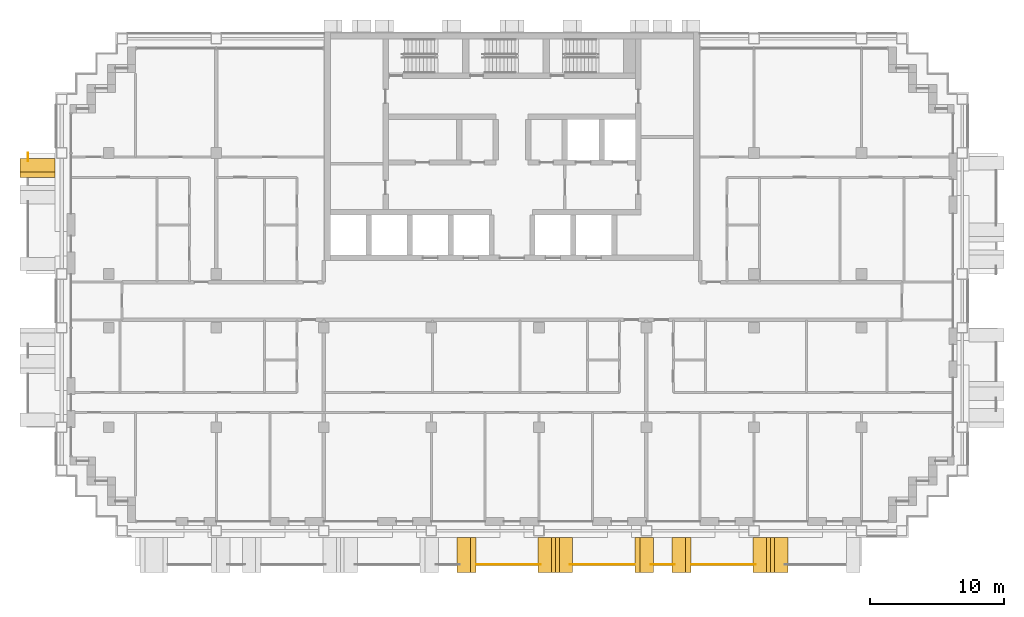
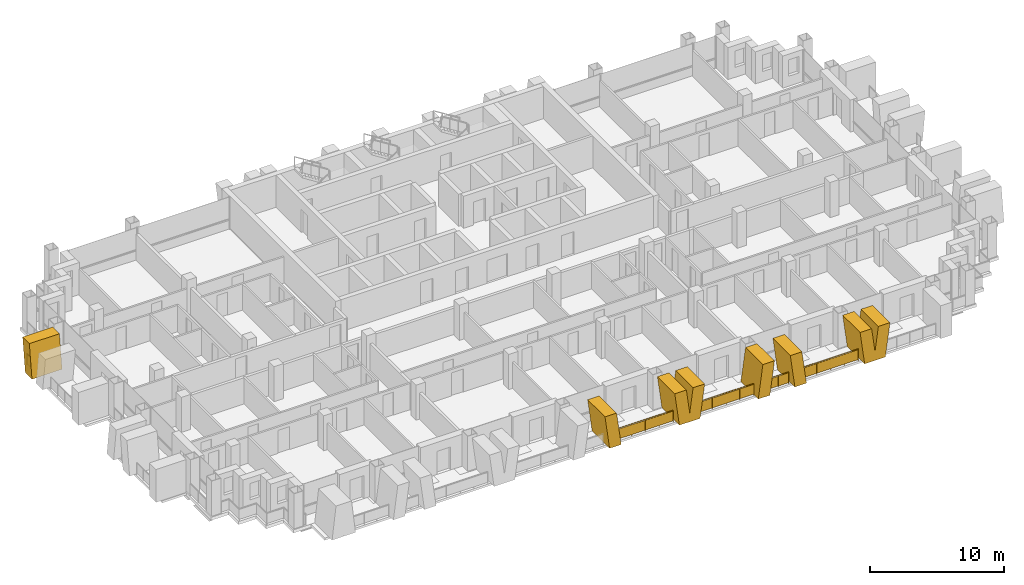
# One storey, part 14 of 17: 6 shading devices, 5 railings.
"""IFC4 building model written with IfcOpenShell, lengths in metres."""

from ifc_helpers import new_model, si_unit, direction, frame, origin, origin_2d, place, context, subcontext, project, spatial, polyline, rectangle, circle, outline, extrude, material, layer, layer_set, type_object, element, save


model = new_model("IFC4")

# Units and contexts
model_context = context("Model", 3, precision=1e-05, world=origin(), true_north=direction((0.0, 1.0)))
body_context = subcontext(model_context, "Body", "Model", "MODEL_VIEW")
ifc_project = project(units=[si_unit("LENGTHUNIT", "METRE"), si_unit("AREAUNIT", "SQUARE_METRE"), si_unit("VOLUMEUNIT", "CUBIC_METRE"), si_unit("PLANEANGLEUNIT", "RADIAN"), si_unit("MASSUNIT", "GRAM", prefix="KILO")], contexts=[model_context])

# Site, building, storey
site_placement = place(None, origin())
site = spatial("IfcSite", under=ifc_project, at=site_placement, CompositionType="ELEMENT")
building_placement = place(site_placement, origin())
building = spatial("IfcBuilding", under=site, at=building_placement, Name="Vidyagriha Tower", CompositionType="ELEMENT")
storey_placement = place(building_placement, frame((0.0, 0.0, 139.0)))
storey = spatial("IfcBuildingStorey", under=building, at=storey_placement, Name="L36", CompositionType="ELEMENT", Elevation=139.0)

# Railings
ifc_material_1 = material(Name="Steel ASTM A500 Grade C black painted", Category="steel")
railing_type = type_object("IfcRailingType", Name="Balcony guard 1100", PredefinedType="BALUSTRADE", material=ifc_material_1)
railing_1_placement = place(storey_placement, frame((-36.0, 11.0, 0.0)))
element("IfcRailing", 1, at=railing_1_placement, inside=storey, type_object=railing_type, Name="Balcony guard L36 R16.1-1", PredefinedType="BALUSTRADE", context=body_context, shape_type="SweptSolid", body=[
    extrude(circle(Radius=0.02490234375, at=origin_2d()), frame((0.0, 0.0, 1.0751953125), z_axis=(0.0, -1.0, 0.0), x_axis=(1.0, 0.0, 0.0)), (0.0, 0.0, 1.0), 0.5966796875),
    extrude(circle(Radius=0.02001953125, at=origin_2d()), origin(), (0.0, 0.0, 1.0), 1.050048828125),
    extrude(circle(Radius=0.02001953125, at=origin_2d()), frame((0.0, -0.5966796875, 0.0)), (0.0, 0.0, 1.0), 1.050048828125),
    extrude(rectangle(XDim=0.010009765625, YDim=0.900146484375, at=origin_2d()), frame((0.0, 0.0, 0.550048828125), z_axis=(0.0, -1.0, 0.0), x_axis=(1.0, 0.0, 0.0)), (0.0, 0.0, 1.0), 0.5966796875),
])
railing_2_placement = place(storey_placement, frame((-2.64501953125, -19.60009765625, 0.0)))
element("IfcRailing", 2, at=railing_2_placement, inside=storey, type_object=railing_type, Name="Balcony guard L36 R23.1-6", PredefinedType="BALUSTRADE", context=body_context, shape_type="SweptSolid", body=[
    extrude(circle(Radius=0.02490234375, at=origin_2d()), frame((0.0, 0.0, 1.0751953125), z_axis=(1.0, 0.0, 0.0), x_axis=(0.0, 1.0, 0.0)), (0.0, 0.0, 1.0), 4.773681640625),
    extrude(circle(Radius=0.02001953125, at=origin_2d()), origin(), (0.0, 0.0, 1.0), 1.050048828125),
    extrude(circle(Radius=0.02001953125, at=origin_2d()), frame((1.193359375, 0.0, 0.0)), (0.0, 0.0, 1.0), 1.050048828125),
    extrude(circle(Radius=0.02001953125, at=origin_2d()), frame((2.38671875, 0.0, 0.0)), (0.0, 0.0, 1.0), 1.050048828125),
    extrude(circle(Radius=0.02001953125, at=origin_2d()), frame((3.580322265625, 0.0, 0.0)), (0.0, 0.0, 1.0), 1.050048828125),
    extrude(circle(Radius=0.02001953125, at=origin_2d()), frame((4.773681640625, 0.0, 0.0)), (0.0, 0.0, 1.0), 1.050048828125),
    extrude(rectangle(XDim=0.010009765625, YDim=0.900146484375, at=origin_2d()), frame((0.0, 0.0, 0.550048828125), z_axis=(1.0, 0.0, 0.0), x_axis=(0.0, 1.0, 0.0)), (0.0, 0.0, 1.0), 4.773681640625),
])
railing_3_placement = place(storey_placement, frame((4.321533203125, -19.60009765625, 0.0)))
element("IfcRailing", 3, at=railing_3_placement, inside=storey, type_object=railing_type, Name="Balcony guard L36 R23.1-7", PredefinedType="BALUSTRADE", context=body_context, shape_type="SweptSolid", body=[
    extrude(circle(Radius=0.02490234375, at=origin_2d()), frame((0.0, 0.0, 1.0751953125), z_axis=(1.0, 0.0, 0.0), x_axis=(0.0, 1.0, 0.0)), (0.0, 0.0, 1.0), 4.7734375),
    extrude(circle(Radius=0.02001953125, at=origin_2d()), origin(), (0.0, 0.0, 1.0), 1.050048828125),
    extrude(circle(Radius=0.02001953125, at=origin_2d()), frame((1.193359375, 0.0, 0.0)), (0.0, 0.0, 1.0), 1.050048828125),
    extrude(circle(Radius=0.02001953125, at=origin_2d()), frame((2.38671875, 0.0, 0.0)), (0.0, 0.0, 1.0), 1.050048828125),
    extrude(circle(Radius=0.02001953125, at=origin_2d()), frame((3.580078125, 0.0, 0.0)), (0.0, 0.0, 1.0), 1.050048828125),
    extrude(circle(Radius=0.02001953125, at=origin_2d()), frame((4.7734375, 0.0, 0.0)), (0.0, 0.0, 1.0), 1.050048828125),
    extrude(rectangle(XDim=0.010009765625, YDim=0.900146484375, at=origin_2d()), frame((0.0, 0.0, 0.550048828125), z_axis=(1.0, 0.0, 0.0), x_axis=(0.0, 1.0, 0.0)), (0.0, 0.0, 1.0), 4.7734375),
])
railing_4_placement = place(storey_placement, frame((10.346435546875, -19.60009765625, 0.0)))
element("IfcRailing", 4, at=railing_4_placement, inside=storey, type_object=railing_type, Name="Balcony guard L36 R23.1-8", PredefinedType="BALUSTRADE", context=body_context, shape_type="SweptSolid", body=[
    extrude(circle(Radius=0.02490234375, at=origin_2d()), frame((0.0, 0.0, 1.0751953125), z_axis=(1.0, 0.0, 0.0), x_axis=(0.0, 1.0, 0.0)), (0.0, 0.0, 1.0), 1.757080078125),
    extrude(circle(Radius=0.02001953125, at=origin_2d()), origin(), (0.0, 0.0, 1.0), 1.050048828125),
    extrude(circle(Radius=0.02001953125, at=origin_2d()), frame((0.87841796875, 0.0, 0.0)), (0.0, 0.0, 1.0), 1.050048828125),
    extrude(circle(Radius=0.02001953125, at=origin_2d()), frame((1.757080078125, 0.0, 0.0)), (0.0, 0.0, 1.0), 1.050048828125),
    extrude(rectangle(XDim=0.010009765625, YDim=0.900146484375, at=origin_2d()), frame((0.0, 0.0, 0.550048828125), z_axis=(1.0, 0.0, 0.0), x_axis=(0.0, 1.0, 0.0)), (0.0, 0.0, 1.0), 1.757080078125),
])
railing_5_placement = place(storey_placement, frame((13.35498046875, -19.60009765625, 0.0)))
element("IfcRailing", 5, at=railing_5_placement, inside=storey, type_object=railing_type, Name="Balcony guard L36 R23.1-9", PredefinedType="BALUSTRADE", context=body_context, shape_type="SweptSolid", body=[
    extrude(circle(Radius=0.02490234375, at=origin_2d()), frame((0.0, 0.0, 1.0751953125), z_axis=(1.0, 0.0, 0.0), x_axis=(0.0, 1.0, 0.0)), (0.0, 0.0, 1.0), 4.773681640625),
    extrude(circle(Radius=0.02001953125, at=origin_2d()), origin(), (0.0, 0.0, 1.0), 1.050048828125),
    extrude(circle(Radius=0.02001953125, at=origin_2d()), frame((1.193359375, 0.0, 0.0)), (0.0, 0.0, 1.0), 1.050048828125),
    extrude(circle(Radius=0.02001953125, at=origin_2d()), frame((2.38671875, 0.0, 0.0)), (0.0, 0.0, 1.0), 1.050048828125),
    extrude(circle(Radius=0.02001953125, at=origin_2d()), frame((3.580322265625, 0.0, 0.0)), (0.0, 0.0, 1.0), 1.050048828125),
    extrude(circle(Radius=0.02001953125, at=origin_2d()), frame((4.773681640625, 0.0, 0.0)), (0.0, 0.0, 1.0), 1.050048828125),
    extrude(rectangle(XDim=0.010009765625, YDim=0.900146484375, at=origin_2d()), frame((0.0, 0.0, 0.550048828125), z_axis=(1.0, 0.0, 0.0), x_axis=(0.0, 1.0, 0.0)), (0.0, 0.0, 1.0), 4.773681640625),
])

# Shading devices
ifc_material_2 = material(Name="Precast concrete C40/50 with buff brick facing", Category="concrete")
ifc_layer_1 = layer(ifc_material_2, 1.0)
ifc_layer_set_1 = layer_set([ifc_layer_1], Name="Precast concrete C40/50 with buff brick facing")
shading_device_type_1 = type_object("IfcShadingDeviceType", Name="Brick-faced blade fin arm leaning 8 degrees", PredefinedType="USERDEFINED", material=ifc_layer_set_1)
shading_device_1_placement = place(storey_placement, frame((-35.300048828125, 10.60009765625, 0.0), z_axis=(0.0, 0.0, 1.0), x_axis=(0.0, -1.0, 0.0)))
element("IfcShadingDevice", 6, at=shading_device_1_placement, inside=storey, type_object=shading_device_type_1, Name="Leaning blade fin L36 R16.300b", ObjectType="BLADE FIN", PredefinedType="USERDEFINED", context=body_context, shape_type="SweptSolid", body=[
    extrude(outline(polyline([(0.39990234375, 0.0), (1.39990234375, 0.0), (1.0, 3.0), (0.0, 3.0), (0.39990234375, 0.0)])), frame((0.0, 1.300048828125, 0.0), z_axis=(0.0, -1.0, 0.0), x_axis=(1.0, 0.0, 0.0)), (0.0, 0.0, 1.0), 2.60009765625),
])
for number, where, name in (
    (7, (-4.090087890625, -18.89990234375, 0.0), "Leaning blade fin L36 R23.2200a"),
    (8, (11.909912109375, -18.89990234375, 0.0), "Leaning blade fin L36 R23.3800a"),
):
    element("IfcShadingDevice", number, at=place(storey_placement, frame(where)), inside=storey, type_object=shading_device_type_1, Name=name, ObjectType="BLADE FIN", PredefinedType="USERDEFINED", context=body_context, shape_type="SweptSolid", body=[
        extrude(outline(polyline([(0.39501953125, 0.0), (1.39501953125, 0.0), (1.0, 3.0), (0.0, 3.0), (0.39501953125, 0.0)])), frame((0.0, 1.300048828125, 0.0), z_axis=(0.0, -1.0, 0.0), x_axis=(1.0, 0.0, 0.0)), (0.0, 0.0, 1.0), 2.60009765625),
    ])
shading_device_2_placement = place(storey_placement, frame((9.14501953125, -18.89990234375, 0.0)))
element("IfcShadingDevice", 9, at=shading_device_2_placement, inside=storey, type_object=shading_device_type_1, Name="Leaning blade fin L36 R23.3800b", ObjectType="BLADE FIN", PredefinedType="USERDEFINED", context=body_context, shape_type="SweptSolid", body=[
    extrude(outline(polyline([(0.0, 0.0), (1.0, 0.0), (1.39501953125, 3.0), (0.39501953125, 3.0), (0.0, 0.0)])), frame((0.0, 1.300048828125, 0.0), z_axis=(0.0, -1.0, 0.0), x_axis=(1.0, 0.0, 0.0)), (0.0, 0.0, 1.0), 2.60009765625),
])
ifc_material_3 = material(Name="Precast concrete C40/50 with buff brick facing", Category="concrete")
ifc_layer_2 = layer(ifc_material_3, 1.0)
ifc_layer_set_2 = layer_set([ifc_layer_2], Name="Precast concrete C40/50 with buff brick facing")
shading_device_type_2 = type_object("IfcShadingDeviceType", Name="Brick-faced blade fin forking 8 degrees", PredefinedType="USERDEFINED", material=ifc_layer_set_2)
for number, where, name in (
    (10, (1.93505859375, -18.89990234375, 0.0), "Forked blade fin L36 R23.3000a"),
    (11, (17.93505859375, -18.89990234375, 0.0), "Forked blade fin L36 R23.4600a"),
):
    element("IfcShadingDevice", number, at=place(storey_placement, frame(where)), inside=storey, type_object=shading_device_type_2, Name=name, ObjectType="BLADE FIN", PredefinedType="USERDEFINED", context=body_context, shape_type="SweptSolid", body=[
        extrude(outline(polyline([(0.39501953125, 0.0), (2.18505859375, 0.0), (2.580078125, 3.0), (1.580078125, 3.0), (1.2900390625, 0.797607421875), (1.0, 3.0), (0.0, 3.0), (0.39501953125, 0.0)])), frame((0.0, 1.300048828125, 0.0), z_axis=(0.0, -1.0, 0.0), x_axis=(1.0, 0.0, 0.0)), (0.0, 0.0, 1.0), 2.60009765625),
    ])

save(model, "model.ifc")
